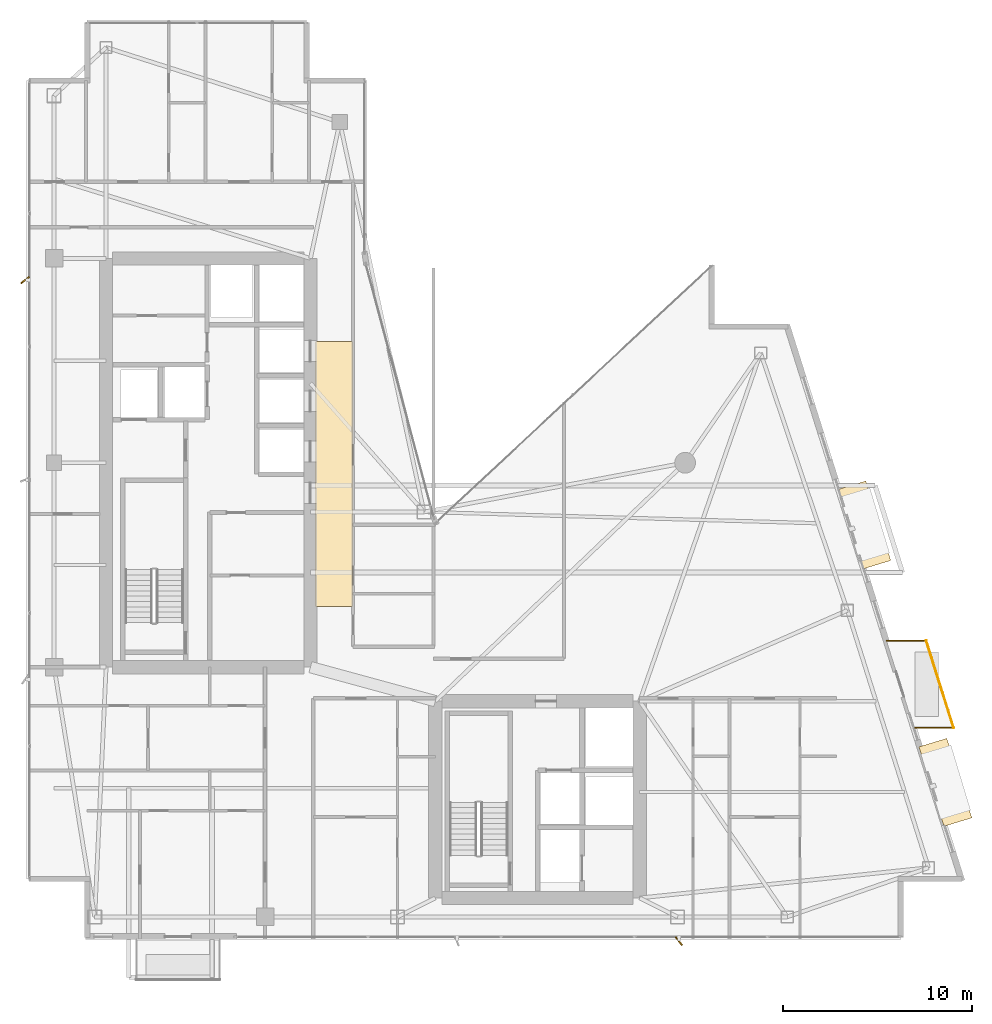
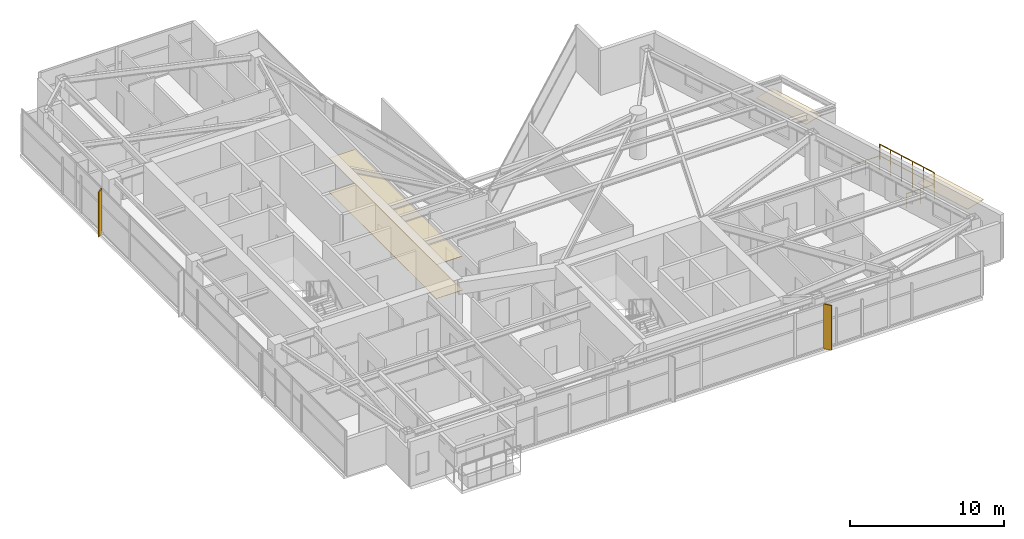
# One storey, part 27 of 27: 4 coverings, 2 railings, 2 shading devices.
"""IFC4 building model written with IfcOpenShell, lengths in metres."""

import ifcopenshell
import ifcopenshell.guid

model = None  # the IFC model being written
_history = None  # IfcOwnerHistory: only IFC2X3 demands one
_inside = {}  # id of a spatial element -> (the spatial element, [elements in it])
_under = {}  # id of a project, library or spatial element -> (it, [spatial elements below it])
_declared = {}  # id of a project -> (the project, [libraries it declares])
_typed = {}  # id of a type object -> (the type object, [elements of that type])
_made_of = {}  # id of a material, layer set ... -> (it, [elements and type objects made of it])


def new_model(schema):
    """Start an empty IFC model of exactly this schema.

    Asked for "IFC4X3", IfcOpenShell would pick the latest addendum, in which some entities
    have other attributes; the version numbers below select the first issue.
    IFC2X3 requires an IfcOwnerHistory on every rooted entity: one is made here for all.
    """
    global model, _history
    if schema == "IFC4X3":
        model = ifcopenshell.file(schema_version=(4, 3, 0, 0))
    else:
        model = ifcopenshell.file(schema=schema)
    _inside.clear()
    _under.clear()
    _declared.clear()
    _typed.clear()
    _made_of.clear()
    _history = None
    if model.schema == "IFC2X3":
        org = make("IfcOrganization", Name="unknown")
        user = make(
            "IfcPersonAndOrganization",
            ThePerson=make("IfcPerson", FamilyName="unknown"),
            TheOrganization=org,
        )
        app = make(
            "IfcApplication",
            ApplicationDeveloper=org,
            Version="unknown",
            ApplicationFullName="unknown",
            ApplicationIdentifier="unknown",
        )
        _history = make(
            "IfcOwnerHistory",
            OwningUser=user,
            OwningApplication=app,
            ChangeAction="ADDED",
            CreationDate=0,
        )
    return model


def make(cls, **values):
    """One entity of the class cls with the attributes given. An attribute that is None is left unset."""
    return model.create_entity(
        cls, **{name: value for name, value in values.items() if value is not None}
    )


def rooted(cls, **values):
    """An entity with a GlobalId (a new one), such as an element, a storey or a relation."""
    return make(cls, GlobalId=ifcopenshell.guid.new(), OwnerHistory=_history, **values)


def si_unit(unit_type, name, prefix=None):
    """IfcSIUnit, for example si_unit("LENGTHUNIT", "METRE", prefix="MILLI")."""
    return make("IfcSIUnit", UnitType=unit_type, Prefix=prefix, Name=name)


def assignment(units):
    """IfcUnitAssignment: the units of a project."""
    return None if units is None else make("IfcUnitAssignment", Units=units)


def point(xyz):
    """IfcCartesianPoint."""
    return None if xyz is None else make("IfcCartesianPoint", Coordinates=xyz)


def direction(xyz):
    """IfcDirection."""
    return None if xyz is None else make("IfcDirection", DirectionRatios=xyz)


def frame(location, z_axis=None, x_axis=None):
    """IfcAxis2Placement3D, a coordinate frame: its origin and axes. An axis left out is left unset."""
    return make(
        "IfcAxis2Placement3D",
        Location=point(location),
        Axis=direction(z_axis),
        RefDirection=direction(x_axis),
    )


def frame_2d(location, x_axis=None):
    """IfcAxis2Placement2D, a coordinate frame in the plane: its origin and x axis."""
    return make(
        "IfcAxis2Placement2D", Location=point(location), RefDirection=direction(x_axis)
    )


def origin():
    """The frame at (0, 0, 0) with its axes left unset."""
    return frame((0.0, 0.0, 0.0))


def origin_2d():
    """The frame at (0, 0) in the plane with its x axis left unset."""
    return frame_2d((0.0, 0.0))


def place(relative_to, where):
    """IfcLocalPlacement: puts the frame where relative to a parent placement (None: the world)."""
    return make(
        "IfcLocalPlacement", PlacementRelTo=relative_to, RelativePlacement=where
    )


def context(
    kind, dimensions, precision=None, world=None, true_north=None, identifier=None
):
    """IfcGeometricRepresentationContext, for example the 3D "Model" context."""
    return make(
        "IfcGeometricRepresentationContext",
        ContextIdentifier=identifier,
        ContextType=kind,
        CoordinateSpaceDimension=dimensions,
        Precision=precision,
        WorldCoordinateSystem=world,
        TrueNorth=true_north,
    )


def subcontext(parent, identifier, kind, view, scale=None):
    """IfcGeometricRepresentationSubContext, for example "Body" below "Model"."""
    return make(
        "IfcGeometricRepresentationSubContext",
        ContextIdentifier=identifier,
        ContextType=kind,
        ParentContext=parent,
        TargetScale=scale,
        TargetView=view,
    )


def project(units=None, contexts=None):
    """IfcProject with its units and contexts."""
    return rooted(
        "IfcProject",
        Name="project",
        RepresentationContexts=contexts,
        UnitsInContext=assignment(units),
    )


def spatial(cls, under=None, at=None, **own):
    """A site, building, storey or space (cls), placed at a placement, below another one or the project."""
    s = rooted(cls, ObjectPlacement=at, **own)
    if under is not None:
        _under.setdefault(under.id(), (under, []))[1].append(s)
    return s


def polyline(points):
    """IfcPolyline through the points."""
    return make("IfcPolyline", Points=[point(p) for p in points])


def profile(cls, at=None, kind="AREA", **sizes):
    """A parametric profile (cls). Its sizes go by their IFC names, for example OverallWidth=200.0."""
    return make(cls, ProfileType=kind, Position=at, **sizes)


def rectangle(**sizes):
    """IfcRectangleProfileDef."""
    return profile("IfcRectangleProfileDef", **sizes)


def circle(**sizes):
    """IfcCircleProfileDef."""
    return profile("IfcCircleProfileDef", **sizes)


def outline(outer, holes=None, kind="AREA"):
    """IfcArbitraryClosedProfileDef: a profile drawn as a closed curve; with holes, ...WithVoids."""
    if holes is None:
        return make("IfcArbitraryClosedProfileDef", ProfileType=kind, OuterCurve=outer)
    return make(
        "IfcArbitraryProfileDefWithVoids",
        ProfileType=kind,
        OuterCurve=outer,
        InnerCurves=holes,
    )


def extrude(swept, where, along, depth):
    """IfcExtrudedAreaSolid: the profile swept, set in the frame where, extruded along a direction by depth."""
    return make(
        "IfcExtrudedAreaSolid",
        SweptArea=swept,
        Position=where,
        ExtrudedDirection=direction(along),
        Depth=depth,
    )


def shape(context_of_items, identifier, shape_type, items):
    """IfcShapeRepresentation: the items that make up one representation, for example the "Body"."""
    return make(
        "IfcShapeRepresentation",
        ContextOfItems=context_of_items,
        RepresentationIdentifier=identifier,
        RepresentationType=shape_type,
        Items=items,
    )


def material(Name=None, Category=None):
    """IfcMaterial."""
    return make("IfcMaterial", Name=Name, Category=Category)


def layer(
    of_material, thickness, ventilated=None, Name=None, Category=None, Priority=None
):
    """IfcMaterialLayer: one layer of a wall or slab, of a material (None: an air gap)."""
    return make(
        "IfcMaterialLayer",
        Material=of_material,
        LayerThickness=thickness,
        IsVentilated=ventilated,
        Name=Name,
        Category=Category,
        Priority=Priority,
    )


def layer_set(layers, Name=None):
    """IfcMaterialLayerSet."""
    return make("IfcMaterialLayerSet", MaterialLayers=layers, LayerSetName=Name)


def made_of(thing, what):
    """Note that an element or type object is made of a material, layer set ...; save() writes the relation."""
    if what is not None:
        _made_of.setdefault(what.id(), (what, []))[1].append(thing)
    return thing


def type_object(cls, material=None, **own):
    """A type object (cls), such as IfcWallType, which elements share."""
    return made_of(rooted(cls, **own), material)


def element(
    cls,
    number,
    at=None,
    inside=None,
    cuts=None,
    type_object=None,
    material=None,
    context=None,
    identifier="Body",
    shape_type=None,
    held_by="IfcProductDefinitionShape",
    body=None,
    shapes=None,
    **own,
):
    """One element of the class cls, such as IfcWall. Its Tag is "e" and its number.

    at: its placement. inside: the storey or other place that contains it. cuts: it is an
    opening in that element (IfcRelVoidsElement). A single representation is given by context,
    identifier, shape_type and body (its items); several are given by shapes. held_by: the class
    of the entity that holds the representations. save() writes the other relations.
    """
    e = rooted(cls, Tag="e%d" % number, ObjectPlacement=at, **own)
    if body is not None:
        shapes = [shape(context, identifier, shape_type, body)]
    if shapes is not None:
        e.Representation = make(held_by, Representations=shapes)
    if inside is not None:
        _inside.setdefault(inside.id(), (inside, []))[1].append(e)
    if cuts is not None:
        rooted(
            "IfcRelVoidsElement", RelatingBuildingElement=cuts, RelatedOpeningElement=e
        )
    if type_object is not None:
        _typed.setdefault(type_object.id(), (type_object, []))[1].append(e)
    return made_of(e, material)


def aggregate(whole, parts):
    """IfcRelAggregates: a whole, such as a stair, and the parts it consists of."""
    return rooted("IfcRelAggregates", RelatingObject=whole, RelatedObjects=parts)


def save(model, path):
    """Write the relations noted so far, then the file.

    IfcRelAggregates (storeys below a building ...), IfcRelContainedInSpatialStructure (elements
    in a storey), IfcRelDefinesByType, IfcRelAssociatesMaterial and IfcRelDeclares: one each for
    every whole, place, type object, material and project.
    """
    for whole, parts in _under.values():
        aggregate(whole, parts)
    for where, things in _inside.values():
        rooted(
            "IfcRelContainedInSpatialStructure",
            RelatedElements=things,
            RelatingStructure=where,
        )
    for kind, things in _typed.values():
        rooted("IfcRelDefinesByType", RelatedObjects=things, RelatingType=kind)
    for what, things in _made_of.values():
        rooted("IfcRelAssociatesMaterial", RelatedObjects=things, RelatingMaterial=what)
    for by, libraries in _declared.values():
        rooted("IfcRelDeclares", RelatingContext=by, RelatedDefinitions=libraries)
    model.write(path)


model = new_model("IFC4")

# Units and contexts
model_context = context("Model", 3, precision=1e-05, world=origin(), true_north=direction((0.0, 1.0)))
body_context = subcontext(model_context, "Body", "Model", "MODEL_VIEW")
ifc_project = project(units=[si_unit("LENGTHUNIT", "METRE"), si_unit("AREAUNIT", "SQUARE_METRE"), si_unit("VOLUMEUNIT", "CUBIC_METRE"), si_unit("PLANEANGLEUNIT", "RADIAN"), si_unit("MASSUNIT", "GRAM", prefix="KILO")], contexts=[model_context])

# Site, building, storey
site_placement = place(None, origin())
site = spatial("IfcSite", under=ifc_project, at=site_placement, CompositionType="ELEMENT")
building_placement = place(site_placement, origin())
building = spatial("IfcBuilding", under=site, at=building_placement, Name="Calvorn Quay Hotel", CompositionType="ELEMENT")
storey_placement = place(building_placement, frame((0.0, 0.0, 226.89990234375)))
storey = spatial("IfcBuildingStorey", under=building, at=storey_placement, Name="L56", CompositionType="ELEMENT", Elevation=226.89990234375)

# Coverings
ifc_material_1 = material(Name="Mineral-Fibre Acoustic Ceiling Tile")
ifc_layer_1 = layer(ifc_material_1, 0.02001953125)
ifc_layer_set_1 = layer_set([ifc_layer_1], Name="COV-CEILING-ACOUSTIC")
covering_type_1 = type_object("IfcCoveringType", Name="COV-CEILING-ACOUSTIC", PredefinedType="CEILING", material=ifc_layer_set_1)
covering_1_placement = place(storey_placement, frame((16.25, 27.0, 2.7001953125), z_axis=(0.0, 0.0, 1.0), x_axis=(1.0, 0.0, 0.0)))
element("IfcCovering", 1, at=covering_1_placement, inside=storey, type_object=covering_type_1, Name="Acoustic Suspended Ceiling (L56)", PredefinedType="CEILING", context=body_context, shape_type="SweptSolid", body=[
    extrude(rectangle(XDim=1.9599609375, YDim=14.0, at=origin_2d()), origin(), (0.0, 0.0, 1.0), 0.02001953125),
])
ifc_material_2 = material(Name="Pale Anodised Aluminium Rainscreen Cladding", Category="aluminium")
ifc_layer_2 = layer(ifc_material_2, 0.044921875)
ifc_layer_set_2 = layer_set([ifc_layer_2], Name="COV-CROWN-CLAD")
covering_type_2 = type_object("IfcCoveringType", Name="COV-CROWN-CLAD", PredefinedType="CLADDING", material=ifc_layer_set_2)
covering_2_placement = place(storey_placement, frame((0.0, 0.0, 2.505126953125)))
element("IfcCovering", 2, at=covering_2_placement, inside=storey, type_object=covering_type_2, Name="Angled Bay Hood Canopy L56-HOOD-1", PredefinedType="CLADDING", context=body_context, shape_type="SweptSolid", body=[
    extrude(outline(polyline([(47.156982421875, 12.587890625), (48.6298828125, 13.034912109375), (49.952880859375, 8.8349609375), (48.47998046875, 8.387939453125), (47.156982421875, 12.587890625)])), origin(), (0.0, 0.0, 1.0), 0.044921875),
])
covering_3_placement = place(storey_placement, frame((0.0, 0.0, 2.505126953125)))
element("IfcCovering", 3, at=covering_3_placement, inside=storey, type_object=covering_type_2, Name="Angled Bay Hood Canopy L56-HOOD-3", PredefinedType="CLADDING", context=body_context, shape_type="SweptSolid", body=[
    extrude(outline(polyline([(42.8720703125, 26.18798828125), (44.344970703125, 26.635009765625), (45.66796875, 22.43505859375), (44.195068359375, 21.988037109375), (42.8720703125, 26.18798828125)])), origin(), (0.0, 0.0, 1.0), 0.044921875),
])
ifc_material_3 = material(Name="Woven Wool Hospitality Carpet")
ifc_layer_3 = layer(ifc_material_3, 0.02392578125)
ifc_layer_set_3 = layer_set([ifc_layer_3], Name="COV-FLOOR-CARPET")
covering_type_3 = type_object("IfcCoveringType", Name="COV-FLOOR-CARPET", PredefinedType="FLOORING", material=ifc_layer_set_3)
covering_4_placement = place(storey_placement, frame((16.25, 27.0, 0.000244140625), z_axis=(0.0, 0.0, 1.0), x_axis=(1.0, 0.0, 0.0)))
element("IfcCovering", 4, at=covering_4_placement, inside=storey, type_object=covering_type_3, Name="Interior Floor Finish (L56)", PredefinedType="FLOORING", context=body_context, shape_type="SweptSolid", body=[
    extrude(rectangle(XDim=1.9599609375, YDim=14.0, at=origin_2d()), origin(), (0.0, 0.0, 1.0), 0.02392578125),
])

# Railings
ifc_material_4 = material(Name="Pale Anodised Aluminium and Laminated Glass", Category="aluminium")
railing_type = type_object("IfcRailingType", Name="RLG-BALUSTRADE-1200", PredefinedType="BALUSTRADE", material=ifc_material_4)
railing_1_placement = place(storey_placement, frame((46.888916015625, 13.60009765625, 0.0)))
element("IfcRailing", 5, at=railing_1_placement, inside=storey, type_object=railing_type, Name="Tree Balcony Perimeter Balustrade L56-BALC-E", PredefinedType="BALUSTRADE", context=body_context, shape_type="SweptSolid", body=[
    extrude(circle(Radius=0.02392578125, at=origin_2d()), frame((0.0, 0.0, 1.17578125), z_axis=(1.0, 0.0, 0.0), x_axis=(0.0, 1.0, 0.0)), (0.0, 0.0, 1.0), 2.10009765625),
    extrude(circle(Radius=0.02392578125, at=origin_2d()), frame((2.10009765625, 0.0, 1.17578125), z_axis=(-0.300450487966, 0.953797412599, 0.0), x_axis=(-0.953797412599, -0.300450487966, 0.0)), (0.0, 0.0, 1.0), 4.82275390625),
    extrude(circle(Radius=0.02392578125, at=origin_2d()), frame((0.651123046875, 4.599853515625, 1.17578125), z_axis=(-1.0, 0.0, 0.0), x_axis=(0.0, -1.0, 0.0)), (0.0, 0.0, 1.0), 2.10009765625),
    extrude(circle(Radius=0.02099609375, at=origin_2d()), origin(), (0.0, 0.0, 1.0), 1.15185546875),
    extrude(circle(Radius=0.02099609375, at=origin_2d()), frame((1.050048828125, 0.0, 0.0)), (0.0, 0.0, 1.0), 1.15185546875),
    extrude(circle(Radius=0.02099609375, at=origin_2d()), frame((2.10009765625, 0.0, 0.0)), (0.0, 0.0, 1.0), 1.15185546875),
    extrude(circle(Radius=0.02099609375, at=origin_2d()), frame((1.810302734375, 0.919921875, 0.0)), (0.0, 0.0, 1.0), 1.15185546875),
    extrude(circle(Radius=0.02099609375, at=origin_2d()), frame((1.5205078125, 1.83984375, 0.0)), (0.0, 0.0, 1.0), 1.15185546875),
    extrude(circle(Radius=0.02099609375, at=origin_2d()), frame((1.230712890625, 2.760009765625, 0.0)), (0.0, 0.0, 1.0), 1.15185546875),
    extrude(circle(Radius=0.02099609375, at=origin_2d()), frame((0.94091796875, 3.679931640625, 0.0)), (0.0, 0.0, 1.0), 1.15185546875),
    extrude(circle(Radius=0.02099609375, at=origin_2d()), frame((0.651123046875, 4.599853515625, 0.0)), (0.0, 0.0, 1.0), 1.15185546875),
    extrude(circle(Radius=0.02099609375, at=origin_2d()), frame((-0.39892578125, 4.599853515625, 0.0)), (0.0, 0.0, 1.0), 1.15185546875),
    extrude(circle(Radius=0.02099609375, at=origin_2d()), frame((-1.448974609375, 4.599853515625, 0.0)), (0.0, 0.0, 1.0), 1.15185546875),
])
railing_2_placement = place(storey_placement, frame((48.989013671875, 13.60009765625, 0.900146484375)))
element("IfcRailing", 6, at=railing_2_placement, inside=storey, type_object=railing_type, Name="Planter Kerb High Safety Screen L56-BALC-E", PredefinedType="BALUSTRADE", context=body_context, shape_type="SweptSolid", body=[
    extrude(circle(Radius=0.02392578125, at=origin_2d()), frame((0.0, 0.0, 1.19580078125), z_axis=(-0.300450487966, 0.953797412599, 0.0), x_axis=(-0.953797412599, -0.300450487966, 0.0)), (0.0, 0.0, 1.0), 4.82275390625),
    extrude(circle(Radius=0.02099609375, at=origin_2d()), origin(), (0.0, 0.0, 1.0), 1.171875),
    extrude(circle(Radius=0.02099609375, at=origin_2d()), frame((-0.289794921875, 0.919921875, 0.0)), (0.0, 0.0, 1.0), 1.171875),
    extrude(circle(Radius=0.02099609375, at=origin_2d()), frame((-0.57958984375, 1.83984375, 0.0)), (0.0, 0.0, 1.0), 1.171875),
    extrude(circle(Radius=0.02099609375, at=origin_2d()), frame((-0.869384765625, 2.760009765625, 0.0)), (0.0, 0.0, 1.0), 1.171875),
    extrude(circle(Radius=0.02099609375, at=origin_2d()), frame((-1.1591796875, 3.679931640625, 0.0)), (0.0, 0.0, 1.0), 1.171875),
    extrude(circle(Radius=0.02099609375, at=origin_2d()), frame((-1.448974609375, 4.599853515625, 0.0)), (0.0, 0.0, 1.0), 1.171875),
])

# Shading devices
ifc_material_5 = material(Name="Champagne Bronze Anodised Aluminium 6063-T6", Category="aluminium")
shading_device_type = type_object("IfcShadingDeviceType", Name="SHD-FIN-A2", PredefinedType="USERDEFINED", material=ifc_material_5)
for number, where, z_axis, x_axis, name in (
    (7, (-0.080078125, 37.25, 0.0), (0.0, 0.0, 1.0), (0.788010753607, 0.615661475326, 0.0), "Diagonal Sun-Shading Fin L56-W03"),
    (8, (34.467041015625, 2.320068359375, 0.0), (0.0, 0.0, 1.0), (-0.615661475326, 0.788010753607, 0.0), "Diagonal Sun-Shading Fin L56-S02"),
):
    element("IfcShadingDevice", number, at=place(storey_placement, frame(where, z_axis=z_axis, x_axis=x_axis)), inside=storey, type_object=shading_device_type, Name=name, ObjectType="FIN", PredefinedType="USERDEFINED", context=body_context, shape_type="SweptSolid", body=[
        extrude(rectangle(XDim=0.550048828125, YDim=0.080078125, at=origin_2d()), origin(), (0.0, 0.0, 1.0), 3.56005859375),
    ])

save(model, "model.ifc")
